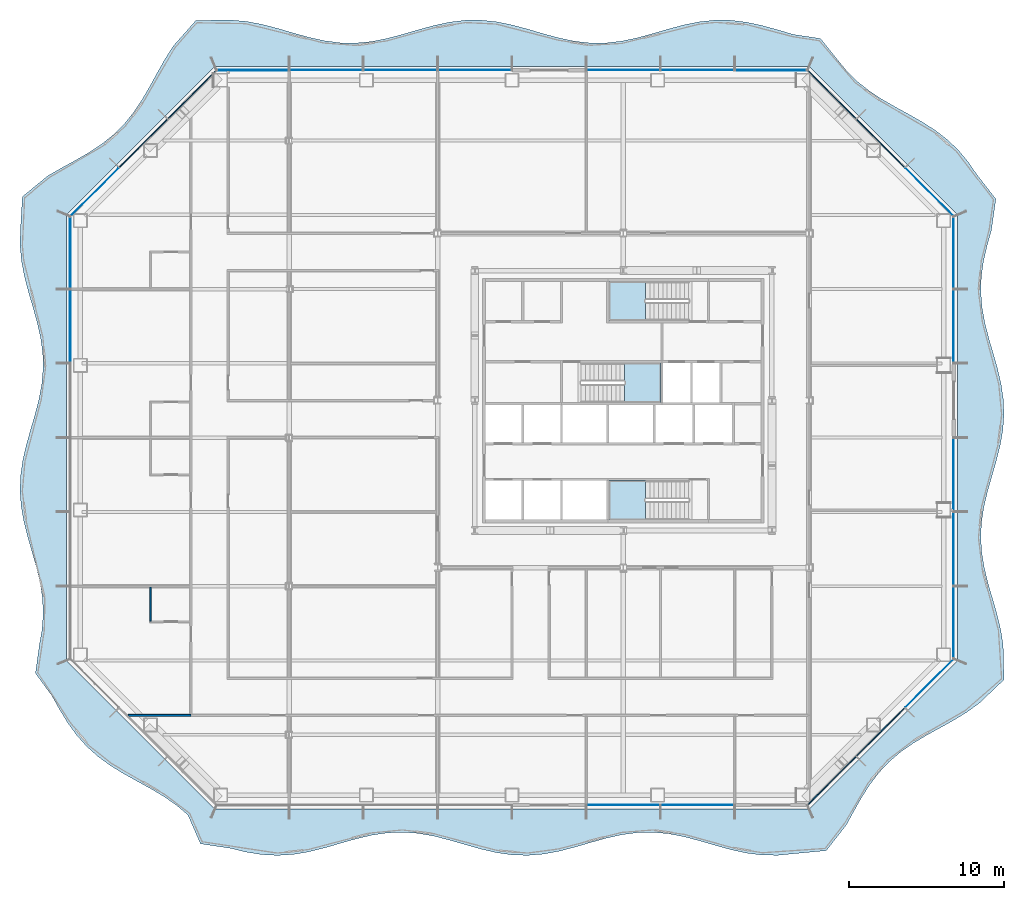
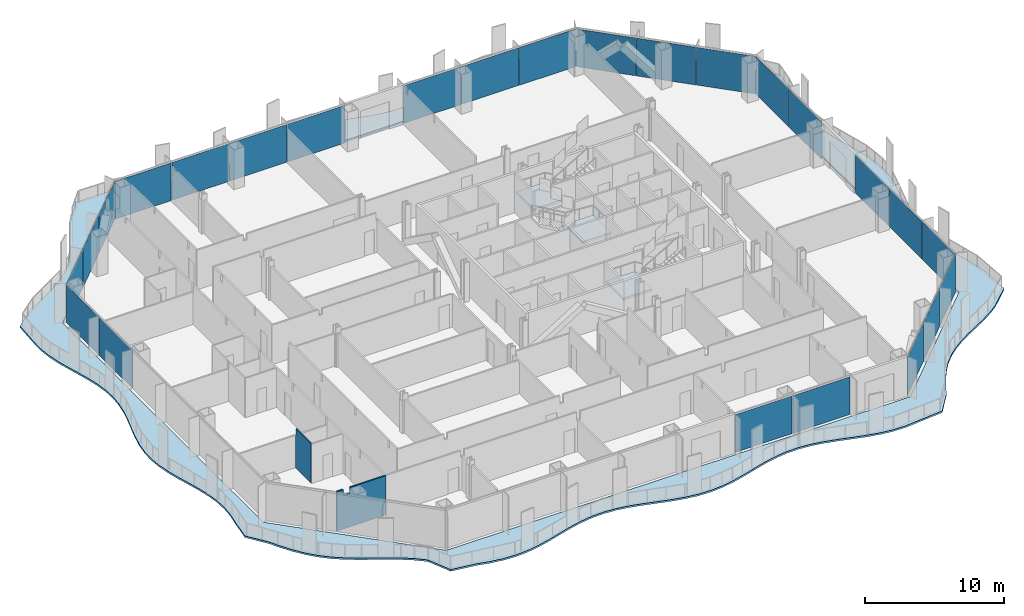
# One storey, part 5 of 18: 25 plates, 4 slabs, 2 walls, 10 elements without a shape of their own.
"""IFC4 building model written with IfcOpenShell, lengths in metres."""

from ifc_helpers import new_model, si_unit, direction, frame, origin, origin_2d, place, context, subcontext, project, spatial, polyline, rectangle, outline, extrude, material, layer, layer_set, type_object, element, aggregate, save


model = new_model("IFC4")

# Units and contexts
model_context = context("Model", 3, precision=1e-05, world=origin(), true_north=direction((0.0, 1.0)))
body_context = subcontext(model_context, "Body", "Model", "MODEL_VIEW")
ifc_project = project(units=[si_unit("LENGTHUNIT", "METRE"), si_unit("AREAUNIT", "SQUARE_METRE"), si_unit("VOLUMEUNIT", "CUBIC_METRE"), si_unit("PLANEANGLEUNIT", "RADIAN"), si_unit("MASSUNIT", "GRAM", prefix="KILO")], contexts=[model_context])

# Site, building, storey
site_placement = place(None, origin())
site = spatial("IfcSite", under=ifc_project, at=site_placement, CompositionType="ELEMENT")
building_placement = place(site_placement, origin())
building = spatial("IfcBuilding", under=site, at=building_placement, Name="Cairn Pilgrim Tower", CompositionType="ELEMENT")
storey_placement = place(building_placement, frame((0.0, 0.0, 72.60009765625)))
storey = spatial("IfcBuildingStorey", under=building, at=storey_placement, Name="L16", CompositionType="ELEMENT", Elevation=72.60009765625)

# Slab
ifc_material_1 = material(Name="Concrete C35/45", Category="concrete")
ifc_layer_1 = layer(ifc_material_1, 0.14990234375)
ifc_layer_set_1 = layer_set([ifc_layer_1], Name="BALCONY SLAB 150 CONCRETE C35/45")
slab_type_1 = type_object("IfcSlabType", Name="BALCONY SLAB 150 CONCRETE C35/45", PredefinedType="FLOOR", material=ifc_layer_set_1)
slab_1_placement = place(storey_placement, frame((0.0, 0.0, -0.150146484375)))
element("IfcSlab", 1, at=slab_1_placement, inside=storey, type_object=slab_type_1, Name="Balcony slab BS-1", PredefinedType="FLOOR", context=body_context, shape_type="SweptSolid", body=[
    extrude(outline(polyline([(-20.94921875, -24.377685546875), (-20.132080078125, -26.25), (-18.189453125, -26.539794921875), (-17.178955078125, -26.78466796875), (-16.16845703125, -26.946533203125), (-15.157958984375, -27.0), (-14.1474609375, -26.936767578125), (-13.136962890625, -26.76708984375), (-12.126220703125, -26.516845703125), (-11.11572265625, -26.22509765625), (-10.105224609375, -25.9375), (-9.0947265625, -25.6982421875), (-8.084228515625, -25.544677734375), (-7.07373046875, -25.5009765625), (-6.063232421875, -25.573486328125), (-5.052734375, -25.751220703125), (-4.0419921875, -26.006591796875), (-3.031494140625, -26.299560546875), (-2.02099609375, -26.5849609375), (-1.010498046875, -26.818359375), (0.0, -26.96337890625), (1.010498046875, -26.99755859375), (2.02099609375, -26.91552734375), (3.031494140625, -26.72998046875), (4.0419921875, -26.469970703125), (5.052734375, -26.17578125), (6.063232421875, -25.89306640625), (7.07373046875, -25.665771484375), (8.084228515625, -25.529541015625), (9.0947265625, -25.505126953125), (10.105224609375, -25.596435546875), (11.11572265625, -25.789306640625), (12.126220703125, -26.053955078125), (13.136962890625, -26.348876953125), (14.1474609375, -26.628662109375), (15.157958984375, -26.849365234375), (16.16845703125, -26.97705078125), (17.178955078125, -26.99169921875), (18.189453125, -26.89111328125), (20.314697265625, -26.69091796875), (21.606689453125, -25.03515625), (22.092041015625, -24.149169921875), (22.58740234375, -23.27294921875), (23.1201171875, -22.434326171875), (23.712158203125, -21.655029296875), (24.376953125, -20.9482421875), (25.117431640625, -20.3173828125), (25.92578125, -19.754150390625), (26.7841796875, -19.241455078125), (27.66845703125, -18.754150390625), (28.549560546875, -18.263916015625), (29.39990234375, -17.742919921875), (30.19580078125, -17.167236328125), (31.800048828125, -15.642578125), (31.746337890625, -13.406982421875), (31.588134765625, -12.413818359375), (31.34912109375, -11.420654296875), (31.06494140625, -10.427490234375), (30.77880859375, -9.4345703125), (30.533447265625, -8.44140625), (30.365478515625, -7.4482421875), (30.30029296875, -6.455078125), (30.347900390625, -5.462158203125), (30.500732421875, -4.468994140625), (30.736083984375, -3.475830078125), (31.018798828125, -2.482666015625), (31.305908203125, -1.48974609375), (31.5546875, -0.49658203125), (31.727783203125, 0.49658203125), (31.799072265625, 1.48974609375), (31.7578125, 2.482666015625), (31.610107421875, 3.475830078125), (31.37841796875, 4.468994140625), (31.097412109375, 5.462158203125), (30.809326171875, 6.455078125), (30.557373046875, 7.4482421875), (30.37939453125, 8.44140625), (30.302001953125, 9.4345703125), (30.337158203125, 10.427490234375), (30.479248046875, 11.420654296875), (30.70703125, 12.413818359375), (30.986328125, 13.406982421875), (31.275146484375, 15.42529296875), (30.041015625, 17.012451171875), (29.48388671875, 17.82666015625), (28.860107421875, 18.574462890625), (28.160888671875, 19.246826171875), (27.388427734375, 19.845458984375), (26.5546875, 20.38330078125), (25.68115234375, 20.881103515625), (24.794677734375, 21.3662109375), (23.92431640625, 21.866943359375), (23.095947265625, 22.41015625), (22.330322265625, 23.01611328125), (21.63916015625, 23.6962890625), (21.022705078125, 24.451171875), (19.94482421875, 25.798095703125), (18.189453125, 26.064453125), (17.178955078125, 26.35986328125), (16.16845703125, 26.637939453125), (15.157958984375, 26.85595703125), (14.1474609375, 26.979736328125), (13.136962890625, 26.989990234375), (12.126220703125, 26.88525390625), (11.11572265625, 26.681884765625), (10.105224609375, 26.411376953125), (9.0947265625, 26.11572265625), (8.084228515625, 25.841064453125), (7.07373046875, 25.6298828125), (6.063232421875, 25.514892578125), (5.052734375, 25.514404296875), (4.0419921875, 25.628173828125), (3.031494140625, 25.838623046875), (2.02099609375, 26.11279296875), (1.010498046875, 26.408447265625), (0.0, 26.679443359375), (-1.010498046875, 26.8837890625), (-2.02099609375, 26.989501953125), (-3.031494140625, 26.980224609375), (-4.0419921875, 26.857666015625), (-5.052734375, 26.640380859375), (-6.063232421875, 26.362548828125), (-7.07373046875, 26.0673828125), (-8.084228515625, 25.80029296875), (-9.0947265625, 25.603271484375), (-10.105224609375, 25.5068359375), (-11.11572265625, 25.525634765625), (-12.126220703125, 25.6572265625), (-13.136962890625, 25.880859375), (-14.1474609375, 26.161865234375), (-15.157958984375, 26.45654296875), (-16.16845703125, 26.71923828125), (-17.178955078125, 26.908935546875), (-18.189453125, 26.99609375), (-20.42919921875, 26.967529296875), (-21.89013671875, 25.31884765625), (-22.4228515625, 24.47998046875), (-22.918212890625, 23.60400390625), (-23.403564453125, 22.7177734375), (-23.907470703125, 21.850341796875), (-24.456298828125, 21.027587890625), (-25.0693359375, 20.269287109375), (-25.757080078125, 19.585693359375), (-26.519287109375, 18.976318359375), (-27.344970703125, 18.4306640625), (-28.214111328125, 17.928466796875), (-29.100341796875, 17.443359375), (-29.97509765625, 16.946533203125), (-31.644287109375, 15.578125), (-31.773681640625, 13.406982421875), (-31.794189453125, 12.413818359375), (-31.703125, 11.420654296875), (-31.513916015625, 10.427490234375), (-31.255126953125, 9.4345703125), (-30.96533203125, 8.44140625), (-30.6884765625, 7.4482421875), (-30.4658203125, 6.455078125), (-30.330810546875, 5.462158203125), (-30.303955078125, 4.468994140625), (-30.38916015625, 3.475830078125), (-30.573486328125, 2.482666015625), (-30.829345703125, 1.48974609375), (-31.118408203125, 0.49658203125), (-31.397216796875, -0.49658203125), (-31.6240234375, -1.48974609375), (-31.764404296875, -2.482666015625), (-31.797607421875, -3.475830078125), (-31.718505859375, -4.468994140625), (-31.5390625, -5.462158203125), (-31.2861328125, -6.455078125), (-30.997802734375, -7.4482421875), (-30.71728515625, -8.44140625), (-30.486572265625, -9.4345703125), (-30.3408203125, -10.427490234375), (-30.30126953125, -11.420654296875), (-30.374267578125, -12.413818359375), (-30.548828125, -13.406982421875), (-30.798583984375, -15.227783203125), (-29.725830078125, -16.697265625), (-29.235595703125, -17.57861328125), (-28.714599609375, -18.4287109375), (-28.138671875, -19.224365234375), (-27.49267578125, -19.949951171875), (-26.770751953125, -20.599365234375), (-25.97802734375, -21.177978515625), (-25.129638671875, -21.701171875), (-24.249267578125, -22.192138671875), (-23.36474609375, -22.678955078125), (-22.504150390625, -23.18994140625), (-21.693115234375, -23.750244140625), (-20.94921875, -24.377685546875)]), holes=[polyline([(19.199951171875, -24.0), (-19.199951171875, -24.0), (-28.800048828125, -14.39990234375), (-28.800048828125, 14.39990234375), (-19.199951171875, 24.0), (19.199951171875, 24.0), (28.800048828125, 14.39990234375), (28.800048828125, -14.39990234375), (19.199951171875, -24.0)])]), origin(), (0.0, 0.0, 1.0), 0.150146484375),
])

# Curtain wall, plate
ifc_material_2 = material(Name="Aluminium alloy 6063-T6 bronze anodised with Bronze tinted laminated low-E glass 8+16+8.8", Category="aluminium")
curtain_wall_type_1 = type_object("IfcCurtainWallType", Name="CHAMFER CORNER CURTAIN WALL", PredefinedType="NOTDEFINED", material=ifc_material_2)
curtain_wall_1_placement = place(storey_placement, origin())
curtain_wall_1 = element("IfcCurtainWall", 2, at=curtain_wall_1_placement, inside=storey, type_object=curtain_wall_type_1, Name="Chamfer Corner Curtain Wall SE", PredefinedType="NOTDEFINED")
ifc_material_3 = material(Name="Bronze anodised aluminium spandrel panel with mineral wool insulation", Category="aluminium")
ifc_layer_2 = layer(ifc_material_3, 0.06005859375)
ifc_layer_set_2 = layer_set([ifc_layer_2], Name="SPANDREL PANEL 4386x3300")
plate_type_1 = type_object("IfcPlateType", Name="SPANDREL PANEL 4386x3300", PredefinedType="CURTAIN_PANEL", material=ifc_layer_set_2)
plate_1_placement = place(storey_placement, frame((20.675537109375, -22.1708984375, 0.0), z_axis=(0.0, 0.0, 1.0), x_axis=(0.707106781187, 0.707106781187, 0.0)))
plate_1 = element("IfcPlate", 3, at=plate_1_placement, type_object=plate_type_1, Name="Spandrel Panel SE1-1", PredefinedType="CURTAIN_PANEL", context=body_context, shape_type="SweptSolid", body=[
    extrude(rectangle(XDim=4.386474609375, YDim=0.06005859375, at=origin_2d()), origin(), (0.0, 0.0, 1.0), 3.300048828125),
])

curtain_wall_2_placement = place(storey_placement, origin())
curtain_wall_2 = element("IfcCurtainWall", 4, at=curtain_wall_2_placement, inside=storey, type_object=curtain_wall_type_1, Name="Chamfer Corner Curtain Wall NE", PredefinedType="NOTDEFINED")
plate_2_placement = place(storey_placement, frame((20.675537109375, 22.1708984375, 0.0), z_axis=(0.0, 0.0, 1.0), x_axis=(-0.707106781187, 0.707106781187, 0.0)))
plate_2 = element("IfcPlate", 5, at=plate_2_placement, type_object=plate_type_1, Name="Spandrel Panel NE3-1", PredefinedType="CURTAIN_PANEL", context=body_context, shape_type="SweptSolid", body=[
    extrude(rectangle(XDim=4.386474609375, YDim=0.06005859375, at=origin_2d()), origin(), (0.0, 0.0, 1.0), 3.300048828125),
])

curtain_wall_3_placement = place(storey_placement, origin())
curtain_wall_3 = element("IfcCurtainWall", 6, at=curtain_wall_3_placement, inside=storey, type_object=curtain_wall_type_1, Name="Chamfer Corner Curtain Wall NW", PredefinedType="NOTDEFINED")
plate_3_placement = place(storey_placement, frame((-20.675537109375, 22.1708984375, 0.0), z_axis=(0.0, 0.0, 1.0), x_axis=(-0.707106781187, -0.707106781187, 0.0)))
plate_3 = element("IfcPlate", 7, at=plate_3_placement, type_object=plate_type_1, Name="Spandrel Panel NW1-1", PredefinedType="CURTAIN_PANEL", context=body_context, shape_type="SweptSolid", body=[
    extrude(rectangle(XDim=4.386474609375, YDim=0.06005859375, at=origin_2d()), origin(), (0.0, 0.0, 1.0), 3.300048828125),
])

# Plate
ifc_layer_3 = layer(ifc_material_3, 0.06005859375)
ifc_layer_set_3 = layer_set([ifc_layer_3], Name="SPANDREL PANEL 4396x3300")
plate_type_2 = type_object("IfcPlateType", Name="SPANDREL PANEL 4396x3300", PredefinedType="CURTAIN_PANEL", material=ifc_layer_set_3)
plate_4_placement = place(storey_placement, frame((23.8232421875, -19.023193359375, 0.0), z_axis=(0.0, 0.0, 1.0), x_axis=(0.707106781187, 0.707106781187, 0.0)))
plate_4 = element("IfcPlate", 8, at=plate_4_placement, type_object=plate_type_2, Name="Spandrel Panel SE2-1", PredefinedType="CURTAIN_PANEL", context=body_context, shape_type="SweptSolid", body=[
    extrude(rectangle(XDim=4.396484375, YDim=0.06005859375, at=origin_2d()), origin(), (0.0, 0.0, 1.0), 3.300048828125),
])

plate_5_placement = place(storey_placement, frame((23.8232421875, 19.023193359375, 0.0), z_axis=(0.0, 0.0, 1.0), x_axis=(-0.707106781187, 0.707106781187, 0.0)))
plate_5 = element("IfcPlate", 9, at=plate_5_placement, type_object=plate_type_2, Name="Spandrel Panel NE2-1", PredefinedType="CURTAIN_PANEL", context=body_context, shape_type="SweptSolid", body=[
    extrude(rectangle(XDim=4.396484375, YDim=0.06005859375, at=origin_2d()), origin(), (0.0, 0.0, 1.0), 3.300048828125),
])

plate_6_placement = place(storey_placement, frame((-23.8232421875, 19.023193359375, 0.0), z_axis=(0.0, 0.0, 1.0), x_axis=(-0.707106781187, -0.707106781187, 0.0)))
plate_6 = element("IfcPlate", 10, at=plate_6_placement, type_object=plate_type_2, Name="Spandrel Panel NW2-1", PredefinedType="CURTAIN_PANEL", context=body_context, shape_type="SweptSolid", body=[
    extrude(rectangle(XDim=4.396484375, YDim=0.06005859375, at=origin_2d()), origin(), (0.0, 0.0, 1.0), 3.300048828125),
])

# Curtain wall, plates
curtain_wall_type_2 = type_object("IfcCurtainWallType", Name="TOWER STICK CURTAIN WALL NS", PredefinedType="NOTDEFINED", material=ifc_material_2)
curtain_wall_4_placement = place(storey_placement, origin())
curtain_wall_4 = element("IfcCurtainWall", 11, at=curtain_wall_4_placement, inside=storey, type_object=curtain_wall_type_2, Name="Tower Stick Curtain Wall Ns N", PredefinedType="NOTDEFINED")
ifc_layer_4 = layer(ifc_material_3, 0.06005859375)
ifc_layer_set_4 = layer_set([ifc_layer_4], Name="SPANDREL PANEL 4626x3300")
plate_type_3 = type_object("IfcPlateType", Name="SPANDREL PANEL 4626x3300", PredefinedType="CURTAIN_PANEL", material=ifc_layer_set_4)
plate_7_placement = place(storey_placement, frame((16.7431640625, 23.75, 0.0), z_axis=(0.0, 0.0, 1.0), x_axis=(-1.0, 0.0, 0.0)))
plate_7 = element("IfcPlate", 12, at=plate_7_placement, type_object=plate_type_3, Name="Spandrel Panel N1-1", PredefinedType="CURTAIN_PANEL", context=body_context, shape_type="SweptSolid", body=[
    extrude(rectangle(XDim=4.62646484375, YDim=0.06005859375, at=origin_2d()), origin(), (0.0, 0.0, 1.0), 3.300048828125),
])
plate_8_placement = place(storey_placement, frame((-16.7431640625, 23.75, 0.0), z_axis=(0.0, 0.0, 1.0), x_axis=(-1.0, 0.0, 0.0)))
plate_8 = element("IfcPlate", 13, at=plate_8_placement, type_object=plate_type_3, Name="Spandrel Panel N8-1", PredefinedType="CURTAIN_PANEL", context=body_context, shape_type="SweptSolid", body=[
    extrude(rectangle(XDim=4.62646484375, YDim=0.06005859375, at=origin_2d()), origin(), (0.0, 0.0, 1.0), 3.300048828125),
])

# Stair, slab
ifc_material_4 = material(Name="Concrete C32/40", Category="concrete")
stair_type = type_object("IfcStairType", Name="EXIT STAIR 1200", PredefinedType="HALF_TURN_STAIR", material=ifc_material_4)
stair_1_placement = place(storey_placement, origin())
stair_1 = element("IfcStair", 14, at=stair_1_placement, inside=storey, type_object=stair_type, Name="L16 Exit Stair A", PredefinedType="HALF_TURN_STAIR")
ifc_layer_5 = layer(ifc_material_4, 0.199951171875)
ifc_layer_set_5 = layer_set([ifc_layer_5], Name="STAIR LANDING 200")
slab_type_2 = type_object("IfcSlabType", Name="STAIR LANDING 200", PredefinedType="LANDING", material=ifc_layer_set_5)
slab_2_placement = place(storey_placement, frame((0.0, 0.0, 1.599853515625)))
slab_2 = element("IfcSlab", 15, at=slab_2_placement, type_object=slab_type_2, Name="ST-A landing 1", PredefinedType="LANDING", context=body_context, shape_type="SweptSolid", body=[
    extrude(outline(polyline([(8.625, -2.77490234375), (6.27490234375, -2.77490234375), (6.27490234375, -5.300048828125), (8.625, -5.300048828125), (8.625, -2.77490234375)])), origin(), (0.0, 0.0, 1.0), 0.199951171875),
])
aggregate(stair_1, [slab_2])

stair_2_placement = place(storey_placement, origin())
stair_2 = element("IfcStair", 16, at=stair_2_placement, inside=storey, type_object=stair_type, Name="L16 Exit Stair B", PredefinedType="HALF_TURN_STAIR")
slab_3_placement = place(storey_placement, frame((0.0, 0.0, 1.599853515625)))
slab_3 = element("IfcSlab", 17, at=slab_3_placement, type_object=slab_type_2, Name="ST-B landing 1", PredefinedType="LANDING", context=body_context, shape_type="SweptSolid", body=[
    extrude(outline(polyline([(7.27490234375, 2.27490234375), (9.625, 2.27490234375), (9.625, 4.824951171875), (7.27490234375, 4.824951171875), (7.27490234375, 2.27490234375)])), origin(), (0.0, 0.0, 1.0), 0.199951171875),
])
aggregate(stair_2, [slab_3])

stair_3_placement = place(storey_placement, origin())
stair_3 = element("IfcStair", 18, at=stair_3_placement, inside=storey, type_object=stair_type, Name="L16 Exit Stair C", PredefinedType="HALF_TURN_STAIR")
slab_4_placement = place(storey_placement, frame((0.0, 0.0, 1.599853515625)))
slab_4 = element("IfcSlab", 19, at=slab_4_placement, type_object=slab_type_2, Name="ST-C landing 1", PredefinedType="LANDING", context=body_context, shape_type="SweptSolid", body=[
    extrude(outline(polyline([(8.625, 10.10009765625), (6.27490234375, 10.10009765625), (6.27490234375, 7.574951171875), (8.625, 7.574951171875), (8.625, 10.10009765625)])), origin(), (0.0, 0.0, 1.0), 0.199951171875),
])
aggregate(stair_3, [slab_4])

# Plate
ifc_material_5 = material(Name="Bronze tinted laminated low-E glass 8+16+8.8", Category="glass")
ifc_layer_6 = layer(ifc_material_5, 0.033935546875)
ifc_layer_set_6 = layer_set([ifc_layer_6], Name="VISION GLAZING 4386x3300")
plate_type_4 = type_object("IfcPlateType", Name="VISION GLAZING 4386x3300", PredefinedType="CURTAIN_PANEL", material=ifc_layer_set_6)
plate_9_placement = place(storey_placement, frame((26.970947265625, -15.87548828125, 0.0), z_axis=(0.0, 0.0, 1.0), x_axis=(0.707106781187, 0.707106781187, 0.0)))
plate_9 = element("IfcPlate", 20, at=plate_9_placement, type_object=plate_type_4, Name="Vision Glazing SE3-1", PredefinedType="CURTAIN_PANEL", context=body_context, shape_type="SweptSolid", body=[
    extrude(rectangle(XDim=4.386474609375, YDim=0.033935546875, at=origin_2d()), origin(), (0.0, 0.0, 1.0), 3.300048828125),
])

aggregate(curtain_wall_1, [plate_1, plate_4, plate_9])

plate_10_placement = place(storey_placement, frame((26.970947265625, 15.87548828125, 0.0), z_axis=(0.0, 0.0, 1.0), x_axis=(-0.707106781187, 0.707106781187, 0.0)))
plate_10 = element("IfcPlate", 21, at=plate_10_placement, type_object=plate_type_4, Name="Vision Glazing NE1-1", PredefinedType="CURTAIN_PANEL", context=body_context, shape_type="SweptSolid", body=[
    extrude(rectangle(XDim=4.386474609375, YDim=0.033935546875, at=origin_2d()), origin(), (0.0, 0.0, 1.0), 3.300048828125),
])

aggregate(curtain_wall_2, [plate_10, plate_5, plate_2])

plate_11_placement = place(storey_placement, frame((-26.970947265625, 15.87548828125, 0.0), z_axis=(0.0, 0.0, 1.0), x_axis=(-0.707106781187, -0.707106781187, 0.0)))
plate_11 = element("IfcPlate", 22, at=plate_11_placement, type_object=plate_type_4, Name="Vision Glazing NW3-1", PredefinedType="CURTAIN_PANEL", context=body_context, shape_type="SweptSolid", body=[
    extrude(rectangle(XDim=4.386474609375, YDim=0.033935546875, at=origin_2d()), origin(), (0.0, 0.0, 1.0), 3.300048828125),
])

aggregate(curtain_wall_3, [plate_3, plate_6, plate_11])

# Curtain wall, plates
curtain_wall_type_3 = type_object("IfcCurtainWallType", Name="TOWER STICK CURTAIN WALL EW", PredefinedType="NOTDEFINED", material=ifc_material_2)
curtain_wall_5_placement = place(storey_placement, origin())
curtain_wall_5 = element("IfcCurtainWall", 23, at=curtain_wall_5_placement, inside=storey, type_object=curtain_wall_type_3, Name="Tower Stick Curtain Wall Ew E", PredefinedType="NOTDEFINED")
ifc_layer_7 = layer(ifc_material_5, 0.033935546875)
ifc_layer_set_7 = layer_set([ifc_layer_7], Name="VISION GLAZING 4626x3300")
plate_type_5 = type_object("IfcPlateType", Name="VISION GLAZING 4626x3300", PredefinedType="CURTAIN_PANEL", material=ifc_layer_set_7)
plate_12_placement = place(storey_placement, frame((28.550048828125, -11.943115234375, 0.0), z_axis=(0.0, 0.0, 1.0), x_axis=(0.0, 1.0, 0.0)))
plate_12 = element("IfcPlate", 24, at=plate_12_placement, type_object=plate_type_5, Name="Vision Glazing E1-1", PredefinedType="CURTAIN_PANEL", context=body_context, shape_type="SweptSolid", body=[
    extrude(rectangle(XDim=4.62646484375, YDim=0.033935546875, at=origin_2d()), origin(), (0.0, 0.0, 1.0), 3.300048828125),
])
plate_13_placement = place(storey_placement, frame((28.550048828125, 11.943115234375, 0.0), z_axis=(0.0, 0.0, 1.0), x_axis=(0.0, 1.0, 0.0)))
plate_13 = element("IfcPlate", 25, at=plate_13_placement, type_object=plate_type_5, Name="Vision Glazing E6-1", PredefinedType="CURTAIN_PANEL", context=body_context, shape_type="SweptSolid", body=[
    extrude(rectangle(XDim=4.62646484375, YDim=0.033935546875, at=origin_2d()), origin(), (0.0, 0.0, 1.0), 3.300048828125),
])

# Curtain wall, plate
curtain_wall_6_placement = place(storey_placement, origin())
curtain_wall_6 = element("IfcCurtainWall", 26, at=curtain_wall_6_placement, inside=storey, type_object=curtain_wall_type_3, Name="Tower Stick Curtain Wall Ew W", PredefinedType="NOTDEFINED")
plate_14_placement = place(storey_placement, frame((-28.550048828125, 11.943115234375, 0.0), z_axis=(0.0, 0.0, 1.0), x_axis=(0.0, -1.0, 0.0)))
plate_14 = element("IfcPlate", 27, at=plate_14_placement, type_object=plate_type_5, Name="Vision Glazing W1-1", PredefinedType="CURTAIN_PANEL", context=body_context, shape_type="SweptSolid", body=[
    extrude(rectangle(XDim=4.62646484375, YDim=0.033935546875, at=origin_2d()), origin(), (0.0, 0.0, 1.0), 3.300048828125),
])

# Curtain wall, plates
curtain_wall_7_placement = place(storey_placement, origin())
curtain_wall_7 = element("IfcCurtainWall", 28, at=curtain_wall_7_placement, inside=storey, type_object=curtain_wall_type_2, Name="Tower Stick Curtain Wall Ns S", PredefinedType="NOTDEFINED")
ifc_layer_8 = layer(ifc_material_5, 0.033935546875)
ifc_layer_set_8 = layer_set([ifc_layer_8], Name="VISION GLAZING 4740x3300")
plate_type_6 = type_object("IfcPlateType", Name="VISION GLAZING 4740x3300", PredefinedType="CURTAIN_PANEL", material=ifc_layer_set_8)
plate_15_placement = place(storey_placement, frame((7.199951171875, -23.75, 0.0), z_axis=(0.0, 0.0, 1.0), x_axis=(1.0, 0.0, 0.0)))
plate_15 = element("IfcPlate", 29, at=plate_15_placement, type_object=plate_type_6, Name="Vision Glazing S6-1", PredefinedType="CURTAIN_PANEL", context=body_context, shape_type="SweptSolid", body=[
    extrude(rectangle(XDim=4.739990234375, YDim=0.033935546875, at=origin_2d()), origin(), (0.0, 0.0, 1.0), 3.300048828125),
])
plate_16_placement = place(storey_placement, frame((12.0, -23.75, 0.0), z_axis=(0.0, 0.0, 1.0), x_axis=(1.0, 0.0, 0.0)))
plate_16 = element("IfcPlate", 30, at=plate_16_placement, type_object=plate_type_6, Name="Vision Glazing S7-1", PredefinedType="CURTAIN_PANEL", context=body_context, shape_type="SweptSolid", body=[
    extrude(rectangle(XDim=4.739990234375, YDim=0.033935546875, at=origin_2d()), origin(), (0.0, 0.0, 1.0), 3.300048828125),
])
aggregate(curtain_wall_7, [plate_15, plate_16])

# Plate
plate_17_placement = place(storey_placement, frame((28.550048828125, -7.199951171875, 0.0), z_axis=(0.0, 0.0, 1.0), x_axis=(0.0, 1.0, 0.0)))
plate_17 = element("IfcPlate", 31, at=plate_17_placement, type_object=plate_type_6, Name="Vision Glazing E2-1", PredefinedType="CURTAIN_PANEL", context=body_context, shape_type="SweptSolid", body=[
    extrude(rectangle(XDim=4.739990234375, YDim=0.033935546875, at=origin_2d()), origin(), (0.0, 0.0, 1.0), 3.300048828125),
])

plate_18_placement = place(storey_placement, frame((28.550048828125, -2.39990234375, 0.0), z_axis=(0.0, 0.0, 1.0), x_axis=(0.0, 1.0, 0.0)))
plate_18 = element("IfcPlate", 32, at=plate_18_placement, type_object=plate_type_6, Name="Vision Glazing E3-1", PredefinedType="CURTAIN_PANEL", context=body_context, shape_type="SweptSolid", body=[
    extrude(rectangle(XDim=4.739990234375, YDim=0.033935546875, at=origin_2d()), origin(), (0.0, 0.0, 1.0), 3.300048828125),
])

plate_19_placement = place(storey_placement, frame((28.550048828125, 7.199951171875, 0.0), z_axis=(0.0, 0.0, 1.0), x_axis=(0.0, 1.0, 0.0)))
plate_19 = element("IfcPlate", 33, at=plate_19_placement, type_object=plate_type_6, Name="Vision Glazing E5-1", PredefinedType="CURTAIN_PANEL", context=body_context, shape_type="SweptSolid", body=[
    extrude(rectangle(XDim=4.739990234375, YDim=0.033935546875, at=origin_2d()), origin(), (0.0, 0.0, 1.0), 3.300048828125),
])

aggregate(curtain_wall_5, [plate_12, plate_17, plate_18, plate_19, plate_13])

plate_20_placement = place(storey_placement, frame((12.0, 23.75, 0.0), z_axis=(0.0, 0.0, 1.0), x_axis=(-1.0, 0.0, 0.0)))
plate_20 = element("IfcPlate", 34, at=plate_20_placement, type_object=plate_type_6, Name="Vision Glazing N2-1", PredefinedType="CURTAIN_PANEL", context=body_context, shape_type="SweptSolid", body=[
    extrude(rectangle(XDim=4.739990234375, YDim=0.033935546875, at=origin_2d()), origin(), (0.0, 0.0, 1.0), 3.300048828125),
])

plate_21_placement = place(storey_placement, frame((7.199951171875, 23.75, 0.0), z_axis=(0.0, 0.0, 1.0), x_axis=(-1.0, 0.0, 0.0)))
plate_21 = element("IfcPlate", 35, at=plate_21_placement, type_object=plate_type_6, Name="Vision Glazing N3-1", PredefinedType="CURTAIN_PANEL", context=body_context, shape_type="SweptSolid", body=[
    extrude(rectangle(XDim=4.739990234375, YDim=0.033935546875, at=origin_2d()), origin(), (0.0, 0.0, 1.0), 3.300048828125),
])

plate_22_placement = place(storey_placement, frame((-2.39990234375, 23.75, 0.0), z_axis=(0.0, 0.0, 1.0), x_axis=(-1.0, 0.0, 0.0)))
plate_22 = element("IfcPlate", 36, at=plate_22_placement, type_object=plate_type_6, Name="Vision Glazing N5-1", PredefinedType="CURTAIN_PANEL", context=body_context, shape_type="SweptSolid", body=[
    extrude(rectangle(XDim=4.739990234375, YDim=0.033935546875, at=origin_2d()), origin(), (0.0, 0.0, 1.0), 3.300048828125),
])

plate_23_placement = place(storey_placement, frame((-7.199951171875, 23.75, 0.0), z_axis=(0.0, 0.0, 1.0), x_axis=(-1.0, 0.0, 0.0)))
plate_23 = element("IfcPlate", 37, at=plate_23_placement, type_object=plate_type_6, Name="Vision Glazing N6-1", PredefinedType="CURTAIN_PANEL", context=body_context, shape_type="SweptSolid", body=[
    extrude(rectangle(XDim=4.739990234375, YDim=0.033935546875, at=origin_2d()), origin(), (0.0, 0.0, 1.0), 3.300048828125),
])

plate_24_placement = place(storey_placement, frame((-12.0, 23.75, 0.0), z_axis=(0.0, 0.0, 1.0), x_axis=(-1.0, 0.0, 0.0)))
plate_24 = element("IfcPlate", 38, at=plate_24_placement, type_object=plate_type_6, Name="Vision Glazing N7-1", PredefinedType="CURTAIN_PANEL", context=body_context, shape_type="SweptSolid", body=[
    extrude(rectangle(XDim=4.739990234375, YDim=0.033935546875, at=origin_2d()), origin(), (0.0, 0.0, 1.0), 3.300048828125),
])

aggregate(curtain_wall_4, [plate_7, plate_20, plate_21, plate_22, plate_23, plate_24, plate_8])

plate_25_placement = place(storey_placement, frame((-28.550048828125, 7.199951171875, 0.0), z_axis=(0.0, 0.0, 1.0), x_axis=(0.0, -1.0, 0.0)))
plate_25 = element("IfcPlate", 39, at=plate_25_placement, type_object=plate_type_6, Name="Vision Glazing W2-1", PredefinedType="CURTAIN_PANEL", context=body_context, shape_type="SweptSolid", body=[
    extrude(rectangle(XDim=4.739990234375, YDim=0.033935546875, at=origin_2d()), origin(), (0.0, 0.0, 1.0), 3.300048828125),
])

aggregate(curtain_wall_6, [plate_14, plate_25])

# Walls
ifc_material_6 = material(Name="Gypsum partition")
ifc_layer_9 = layer(ifc_material_6, 0.10009765625)
ifc_layer_set_9 = layer_set([ifc_layer_9], Name="PARTITION 100 DRYWALL")
wall_type_1 = type_object("IfcWallType", Name="PARTITION 100 DRYWALL", PredefinedType="PARTITIONING", material=ifc_layer_set_9)
wall_1_placement = place(storey_placement, frame((-23.35009765625, -11.85009765625, 0.0), z_axis=(0.0, 0.0, 1.0), x_axis=(0.0, 1.0, 0.0)))
element("IfcWall", 40, at=wall_1_placement, inside=storey, type_object=wall_type_1, Name="PARTITION W023", PredefinedType="PARTITIONING", context=body_context, shape_type="SweptSolid", body=[
    extrude(outline(polyline([(0.0, 0.0), (2.1875, 0.0), (2.1875, 2.829833984375), (2.139892578125, 2.829833984375), (2.137939453125, 3.449951171875), (0.0, 3.449951171875), (0.0, 0.0)])), frame((0.0, 0.050048828125, 0.0), z_axis=(0.0, -1.0, 0.0), x_axis=(1.0, 0.0, 0.0)), (0.0, 0.0, 1.0), 0.10009765625),
])
ifc_layer_10 = layer(ifc_material_6, 0.125)
ifc_layer_set_10 = layer_set([ifc_layer_10], Name="PARTITION 125 DRYWALL EI 60")
wall_type_2 = type_object("IfcWallType", Name="PARTITION 125 DRYWALL EI 60", PredefinedType="PARTITIONING", material=ifc_layer_set_10)
wall_2_placement = place(storey_placement, frame((-24.78857421875, -17.949951171875, 0.0), z_axis=(0.0, 0.0, 1.0), x_axis=(1.0, 0.0, 0.0)))
element("IfcWall", 41, at=wall_2_placement, inside=storey, type_object=wall_type_2, Name="PARTITION W007", PredefinedType="PARTITIONING", context=body_context, shape_type="SweptSolid", body=[
    extrude(outline(polyline([(0.0, 0.0), (4.03857421875, 0.0), (4.03857421875, 3.449951171875), (1.0859375, 3.449951171875), (1.083984375, 2.929931640625), (0.536865234375, 2.929931640625), (0.534912109375, 3.449951171875), (0.0, 3.449951171875), (0.0, 0.0)])), frame((0.0, 0.0625, 0.0), z_axis=(0.0, -1.0, 0.0), x_axis=(1.0, 0.0, 0.0)), (0.0, 0.0, 1.0), 0.125),
])

save(model, "model.ifc")
